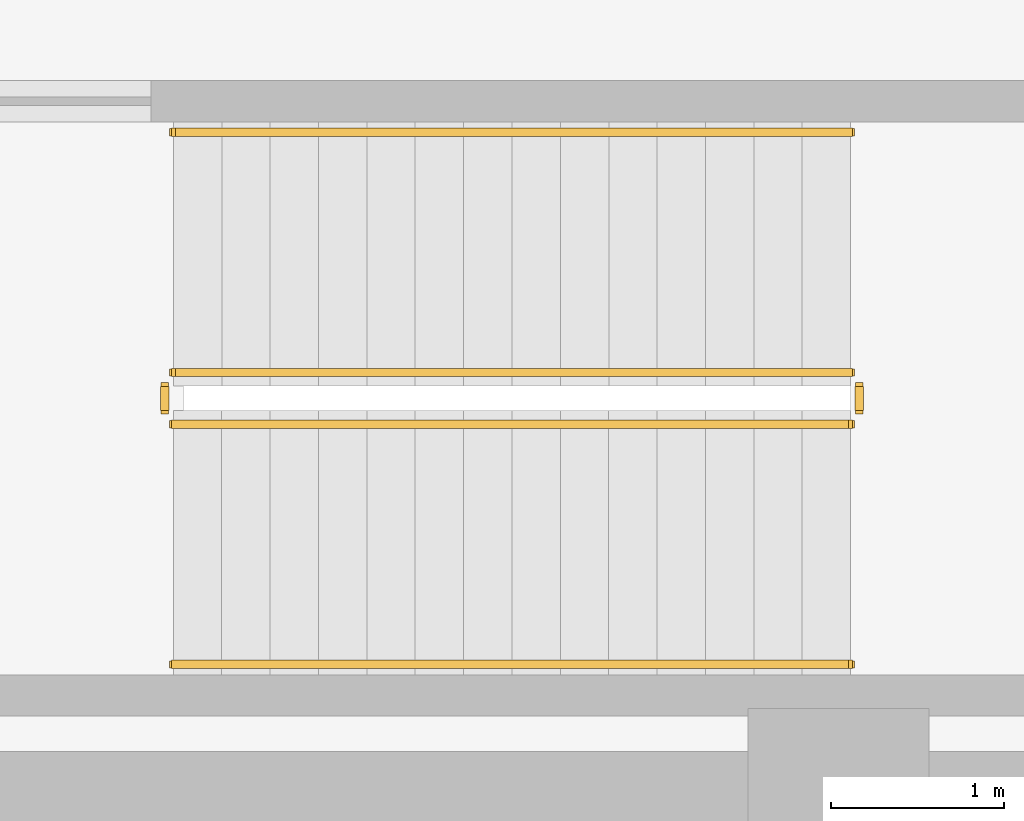
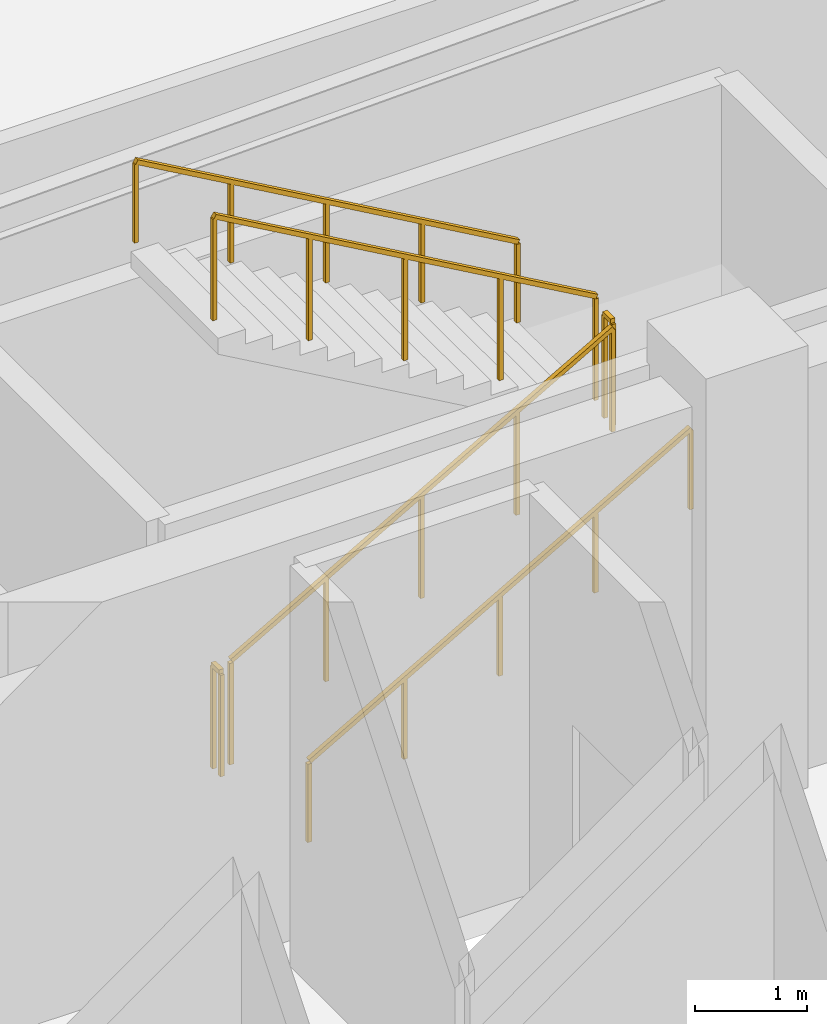
# One storey, part 11 of 12: 6 railings.
"""IFC4 building model written with IfcOpenShell, lengths in metres."""

from ifc_helpers import new_model, si_unit, direction, frame, origin, origin_2d, place, context, subcontext, project, spatial, rectangle, extrude, material, type_object, element, save


model = new_model("IFC4")

# Units and contexts
model_context = context("Model", 3, precision=1e-05, world=origin(), true_north=direction((0.0, 1.0)))
body_context = subcontext(model_context, "Body", "Model", "MODEL_VIEW")
ifc_project = project(units=[si_unit("LENGTHUNIT", "METRE"), si_unit("AREAUNIT", "SQUARE_METRE"), si_unit("VOLUMEUNIT", "CUBIC_METRE"), si_unit("PLANEANGLEUNIT", "RADIAN"), si_unit("MASSUNIT", "GRAM", prefix="KILO")], contexts=[model_context])

# Site, building, storey
site_placement = place(None, origin())
site = spatial("IfcSite", under=ifc_project, at=site_placement, CompositionType="ELEMENT")
building_placement = place(site_placement, origin())
building = spatial("IfcBuilding", under=site, at=building_placement, Name="Liaohun Quay Tower", CompositionType="ELEMENT")
storey_placement = place(building_placement, frame((0.0, 0.0, 355.800048828125)))
storey = spatial("IfcBuildingStorey", under=building, at=storey_placement, Name="L92", CompositionType="ELEMENT", Elevation=355.800048828125)

# Railings
ifc_material_1 = material(Name="Painted tubular steel", Category="steel")
railing_type_1 = type_object("IfcRailingType", Name="RLG-GUARD-STR", PredefinedType="GUARDRAIL", material=ifc_material_1)
railing_1_placement = place(storey_placement, frame((56.14990234375, 63.669921875, 0.159912109375)))
element("IfcRailing", 1, at=railing_1_placement, inside=storey, type_object=railing_type_1, Name="L92 ST-3 stair guard 1", PredefinedType="GUARDRAIL", context=body_context, shape_type="SweptSolid", body=[
    extrude(rectangle(XDim=0.048095703125, YDim=0.048095703125, at=origin_2d()), frame((0.0, 0.0, 1.1259765625), z_axis=(0.86825312469, 0.0, 0.496121468458), x_axis=(0.0, 1.0, 0.0)), (0.0, 0.0, 1.0), 4.514892578125),
    extrude(rectangle(XDim=0.0419921875, YDim=0.0419921875, at=origin_2d()), origin(), (0.0, 0.0, 1.0), 1.101806640625),
    extrude(rectangle(XDim=0.0419921875, YDim=0.0419921875, at=origin_2d()), frame((0.97998046875, 0.0, 0.56005859375)), (0.0, 0.0, 1.0), 1.101806640625),
    extrude(rectangle(XDim=0.0419921875, YDim=0.0419921875, at=origin_2d()), frame((1.9599609375, 0.0, 1.1201171875)), (0.0, 0.0, 1.0), 1.101806640625),
    extrude(rectangle(XDim=0.0419921875, YDim=0.0419921875, at=origin_2d()), frame((2.940185546875, 0.0, 1.679931640625)), (0.0, 0.0, 1.0), 1.101806640625),
    extrude(rectangle(XDim=0.0419921875, YDim=0.0419921875, at=origin_2d()), frame((3.920166015625, 0.0, 2.239990234375)), (0.0, 0.0, 1.0), 1.101806640625),
])
railing_2_placement = place(storey_placement, frame((60.1201171875, 63.75, 2.39990234375)))
element("IfcRailing", 2, at=railing_2_placement, inside=storey, type_object=railing_type_1, Name="L92 ST-3 stair guard 2", PredefinedType="GUARDRAIL", context=body_context, shape_type="SweptSolid", body=[
    extrude(rectangle(XDim=0.048095703125, YDim=0.048095703125, at=origin_2d()), frame((0.0, 0.0, 1.1259765625), z_axis=(0.0, 1.0, 0.0), x_axis=(-1.0, 0.0, 0.0)), (0.0, 0.0, 1.0), 0.139892578125),
    extrude(rectangle(XDim=0.0419921875, YDim=0.0419921875, at=origin_2d()), origin(), (0.0, 0.0, 1.0), 1.101806640625),
    extrude(rectangle(XDim=0.0419921875, YDim=0.0419921875, at=origin_2d()), frame((0.0, 0.139892578125, 0.0)), (0.0, 0.0, 1.0), 1.101806640625),
])
railing_3_placement = place(storey_placement, frame((60.070068359375, 63.969970703125, 2.56005859375)))
element("IfcRailing", 3, at=railing_3_placement, inside=storey, type_object=railing_type_1, Name="L92 ST-3 stair guard 3", PredefinedType="GUARDRAIL", context=body_context, shape_type="SweptSolid", body=[
    extrude(rectangle(XDim=0.048095703125, YDim=0.048095703125, at=origin_2d()), frame((0.0, 0.0, 1.1259765625), z_axis=(-0.86825312469, 0.0, 0.496121468458), x_axis=(0.0, -1.0, 0.0)), (0.0, 0.0, 1.0), 4.514892578125),
    extrude(rectangle(XDim=0.0419921875, YDim=0.0419921875, at=origin_2d()), origin(), (0.0, 0.0, 1.0), 1.101806640625),
    extrude(rectangle(XDim=0.0419921875, YDim=0.0419921875, at=origin_2d()), frame((-0.97998046875, 0.0, 0.56005859375)), (0.0, 0.0, 1.0), 1.101806640625),
    extrude(rectangle(XDim=0.0419921875, YDim=0.0419921875, at=origin_2d()), frame((-1.9599609375, 0.0, 1.1201171875)), (0.0, 0.0, 1.0), 1.101806640625),
    extrude(rectangle(XDim=0.0419921875, YDim=0.0419921875, at=origin_2d()), frame((-2.940185546875, 0.0, 1.679931640625)), (0.0, 0.0, 1.0), 1.101806640625),
    extrude(rectangle(XDim=0.0419921875, YDim=0.0419921875, at=origin_2d()), frame((-3.920166015625, 0.0, 2.239990234375)), (0.0, 0.0, 1.0), 1.101806640625),
])
railing_4_placement = place(storey_placement, frame((56.10009765625, 63.75, 0.0)))
element("IfcRailing", 4, at=railing_4_placement, inside=storey, type_object=railing_type_1, Name="L92 ST-3 stair guard 4", PredefinedType="GUARDRAIL", context=body_context, shape_type="SweptSolid", body=[
    extrude(rectangle(XDim=0.048095703125, YDim=0.048095703125, at=origin_2d()), frame((0.0, 0.0, 1.1259765625), z_axis=(0.0, 1.0, 0.0), x_axis=(-1.0, 0.0, 0.0)), (0.0, 0.0, 1.0), 0.139892578125),
    extrude(rectangle(XDim=0.0419921875, YDim=0.0419921875, at=origin_2d()), origin(), (0.0, 0.0, 1.0), 1.101806640625),
    extrude(rectangle(XDim=0.0419921875, YDim=0.0419921875, at=origin_2d()), frame((0.0, 0.139892578125, 0.0)), (0.0, 0.0, 1.0), 1.101806640625),
])
ifc_material_2 = material(Name="Brushed stainless steel", Category="steel")
railing_type_2 = type_object("IfcRailingType", Name="RLG-HND-STR", PredefinedType="HANDRAIL", material=ifc_material_2)
railing_5_placement = place(storey_placement, frame((56.14990234375, 62.280029296875, 0.159912109375)))
element("IfcRailing", 5, at=railing_5_placement, inside=storey, type_object=railing_type_2, Name="L92 ST-3 stair handrail 1", PredefinedType="HANDRAIL", context=body_context, shape_type="SweptSolid", body=[
    extrude(rectangle(XDim=0.048095703125, YDim=0.048095703125, at=origin_2d()), frame((0.0, 0.0, 0.8759765625), z_axis=(0.86825312469, 0.0, 0.496121468458), x_axis=(0.0, 1.0, 0.0)), (0.0, 0.0, 1.0), 4.514892578125),
    extrude(rectangle(XDim=0.0419921875, YDim=0.0419921875, at=origin_2d()), origin(), (0.0, 0.0, 1.0), 0.851806640625),
    extrude(rectangle(XDim=0.0419921875, YDim=0.0419921875, at=origin_2d()), frame((0.97998046875, 0.0, 0.56005859375)), (0.0, 0.0, 1.0), 0.851806640625),
    extrude(rectangle(XDim=0.0419921875, YDim=0.0419921875, at=origin_2d()), frame((1.9599609375, 0.0, 1.1201171875)), (0.0, 0.0, 1.0), 0.851806640625),
    extrude(rectangle(XDim=0.0419921875, YDim=0.0419921875, at=origin_2d()), frame((2.940185546875, 0.0, 1.679931640625)), (0.0, 0.0, 1.0), 0.851806640625),
    extrude(rectangle(XDim=0.0419921875, YDim=0.0419921875, at=origin_2d()), frame((3.920166015625, 0.0, 2.239990234375)), (0.0, 0.0, 1.0), 0.851806640625),
])
railing_6_placement = place(storey_placement, frame((60.070068359375, 65.360107421875, 2.56005859375)))
element("IfcRailing", 6, at=railing_6_placement, inside=storey, type_object=railing_type_2, Name="L92 ST-3 stair handrail 2", PredefinedType="HANDRAIL", context=body_context, shape_type="SweptSolid", body=[
    extrude(rectangle(XDim=0.048095703125, YDim=0.048095703125, at=origin_2d()), frame((0.0, 0.0, 0.8759765625), z_axis=(-0.86825312469, 0.0, 0.496121468458), x_axis=(0.0, -1.0, 0.0)), (0.0, 0.0, 1.0), 4.514892578125),
    extrude(rectangle(XDim=0.0419921875, YDim=0.0419921875, at=origin_2d()), origin(), (0.0, 0.0, 1.0), 0.851806640625),
    extrude(rectangle(XDim=0.0419921875, YDim=0.0419921875, at=origin_2d()), frame((-0.97998046875, 0.0, 0.56005859375)), (0.0, 0.0, 1.0), 0.851806640625),
    extrude(rectangle(XDim=0.0419921875, YDim=0.0419921875, at=origin_2d()), frame((-1.9599609375, 0.0, 1.1201171875)), (0.0, 0.0, 1.0), 0.851806640625),
    extrude(rectangle(XDim=0.0419921875, YDim=0.0419921875, at=origin_2d()), frame((-2.940185546875, 0.0, 1.679931640625)), (0.0, 0.0, 1.0), 0.851806640625),
    extrude(rectangle(XDim=0.0419921875, YDim=0.0419921875, at=origin_2d()), frame((-3.920166015625, 0.0, 2.239990234375)), (0.0, 0.0, 1.0), 0.851806640625),
])

save(model, "model.ifc")
